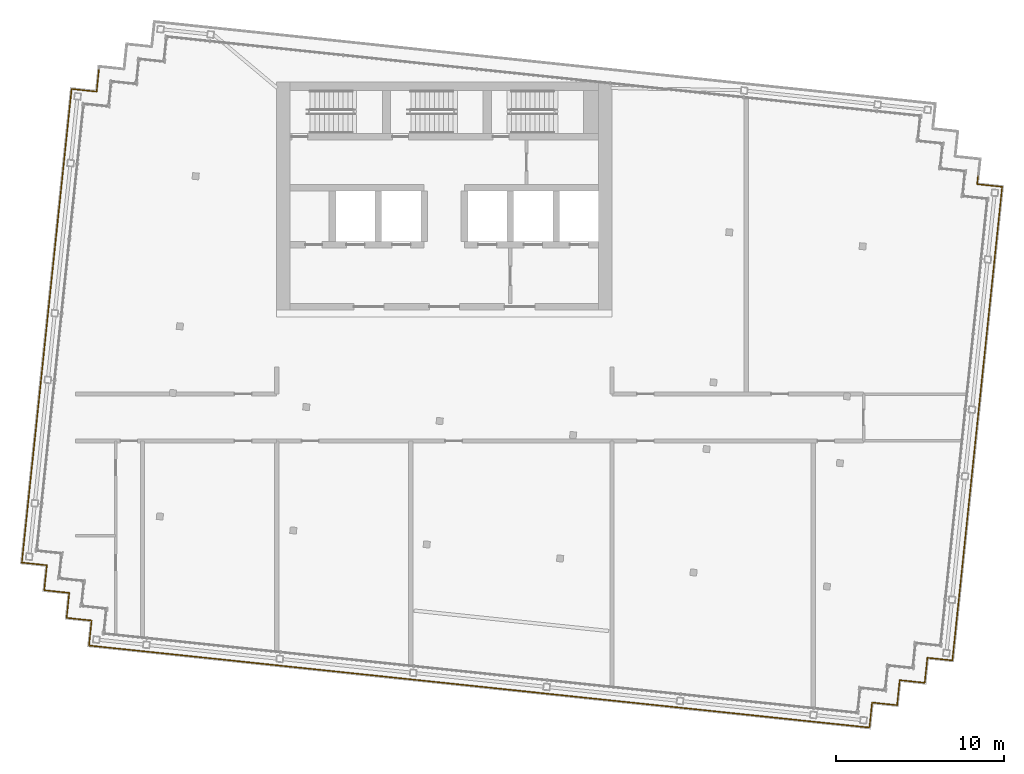
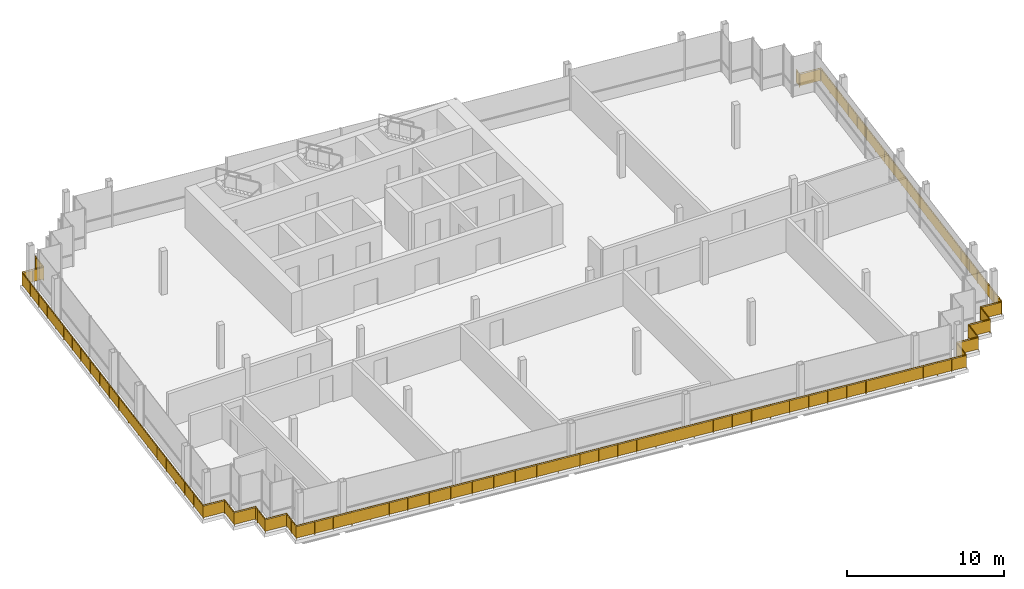
# One storey, part 13 of 15: 11 railings.
"""IFC4 building model written with IfcOpenShell, lengths in metres."""

from ifc_helpers import new_model, si_unit, direction, frame, origin, origin_2d, place, context, subcontext, project, spatial, rectangle, circle, extrude, material, type_object, element, save


model = new_model("IFC4")

# Units and contexts
model_context = context("Model", 3, precision=1e-05, world=origin(), true_north=direction((0.0, 1.0)))
body_context = subcontext(model_context, "Body", "Model", "MODEL_VIEW")
ifc_project = project(units=[si_unit("LENGTHUNIT", "METRE"), si_unit("AREAUNIT", "SQUARE_METRE"), si_unit("VOLUMEUNIT", "CUBIC_METRE"), si_unit("PLANEANGLEUNIT", "RADIAN"), si_unit("MASSUNIT", "GRAM", prefix="KILO")], contexts=[model_context])

# Site, building, storey
site_placement = place(None, origin())
site = spatial("IfcSite", under=ifc_project, at=site_placement, CompositionType="ELEMENT")
building_placement = place(site_placement, origin())
building = spatial("IfcBuilding", under=site, at=building_placement, Name="Vidyagriha Tower", CompositionType="ELEMENT")
storey_placement = place(building_placement, frame((0.0, 0.0, 294.89990234375)))
storey = spatial("IfcBuildingStorey", under=building, at=storey_placement, Name="L76", CompositionType="ELEMENT", Elevation=294.89990234375)

# Railings
ifc_material = material(Name="Steel ASTM A500 Grade C black painted", Category="steel")
railing_type = type_object("IfcRailingType", Name="Gallery guard 1100", PredefinedType="GUARDRAIL", material=ifc_material)
railing_1_placement = place(storey_placement, frame((30.297607421875, -14.485595703125, 0.0)))
element("IfcRailing", 1, at=railing_1_placement, inside=storey, type_object=railing_type, Name="Gallery guard L76 1", PredefinedType="GUARDRAIL", context=body_context, shape_type="SweptSolid", body=[
    extrude(circle(Radius=0.02490234375, at=origin_2d()), frame((0.0, 0.0, 1.0751953125), z_axis=(-0.994525057048, 0.104498377516, 0.0), x_axis=(-0.104498377516, -0.994525057048, 0.0)), (0.0, 0.0, 1.0), 1.5),
    extrude(circle(Radius=0.02490234375, at=origin_2d()), frame((-1.49169921875, 0.15673828125, 1.0751953125), z_axis=(-0.104498377516, -0.994525057048, 0.0), x_axis=(0.994525057048, -0.104498377516, 0.0)), (0.0, 0.0, 1.0), 1.5),
    extrude(circle(Radius=0.02490234375, at=origin_2d()), frame((-1.6484375, -1.3349609375, 1.0751953125), z_axis=(-0.994525057048, 0.104498377516, 0.0), x_axis=(-0.104498377516, -0.994525057048, 0.0)), (0.0, 0.0, 1.0), 1.5),
    extrude(circle(Radius=0.02490234375, at=origin_2d()), frame((-3.14013671875, -1.17822265625, 1.0751953125), z_axis=(-0.104659366031, -0.994508128223, 0.0), x_axis=(0.994508128223, -0.104659366031, 0.0)), (0.0, 0.0, 1.0), 1.5),
    extrude(circle(Radius=0.02490234375, at=origin_2d()), frame((-3.297119140625, -2.669921875, 1.0751953125), z_axis=(-0.994525057048, 0.104498377516, 0.0), x_axis=(-0.104498377516, -0.994525057048, 0.0)), (0.0, 0.0, 1.0), 1.5),
    extrude(circle(Radius=0.02490234375, at=origin_2d()), frame((-4.788818359375, -2.51318359375, 1.0751953125), z_axis=(-0.104498377516, -0.994525057048, 0.0), x_axis=(0.994525057048, -0.104498377516, 0.0)), (0.0, 0.0, 1.0), 1.5),
    extrude(circle(Radius=0.02490234375, at=origin_2d()), frame((-4.945556640625, -4.0048828125, 1.0751953125), z_axis=(-0.994525945657, 0.104489920156, 0.0), x_axis=(-0.104489920156, -0.994525945657, 0.0)), (0.0, 0.0, 1.0), 3.0),
    extrude(circle(Radius=0.02001953125, at=origin_2d()), origin(), (0.0, 0.0, 1.0), 1.050048828125),
    extrude(circle(Radius=0.02001953125, at=origin_2d()), frame((-1.49169921875, 0.15673828125, 0.0)), (0.0, 0.0, 1.0), 1.050048828125),
    extrude(circle(Radius=0.02001953125, at=origin_2d()), frame((-1.6484375, -1.3349609375, 0.0)), (0.0, 0.0, 1.0), 1.050048828125),
    extrude(circle(Radius=0.02001953125, at=origin_2d()), frame((-3.14013671875, -1.17822265625, 0.0)), (0.0, 0.0, 1.0), 1.050048828125),
    extrude(circle(Radius=0.02001953125, at=origin_2d()), frame((-3.297119140625, -2.669921875, 0.0)), (0.0, 0.0, 1.0), 1.050048828125),
    extrude(circle(Radius=0.02001953125, at=origin_2d()), frame((-4.788818359375, -2.51318359375, 0.0)), (0.0, 0.0, 1.0), 1.050048828125),
    extrude(circle(Radius=0.02001953125, at=origin_2d()), frame((-4.945556640625, -4.0048828125, 0.0)), (0.0, 0.0, 1.0), 1.050048828125),
    extrude(circle(Radius=0.02001953125, at=origin_2d()), frame((-5.940185546875, -3.900390625, 0.0)), (0.0, 0.0, 1.0), 1.050048828125),
    extrude(circle(Radius=0.02001953125, at=origin_2d()), frame((-6.9345703125, -3.7958984375, 0.0)), (0.0, 0.0, 1.0), 1.050048828125),
    extrude(circle(Radius=0.02001953125, at=origin_2d()), frame((-7.92919921875, -3.69140625, 0.0)), (0.0, 0.0, 1.0), 1.050048828125),
    extrude(rectangle(XDim=0.010009765625, YDim=0.900146484375, at=origin_2d()), frame((0.0, 0.0, 0.550048828125), z_axis=(-0.994525057048, 0.104498377516, 0.0), x_axis=(-0.104498377516, -0.994525057048, 0.0)), (0.0, 0.0, 1.0), 1.5),
    extrude(rectangle(XDim=0.010009765625, YDim=0.900146484375, at=origin_2d()), frame((-1.49169921875, 0.15673828125, 0.550048828125), z_axis=(-0.104498377516, -0.994525057048, 0.0), x_axis=(0.994525057048, -0.104498377516, 0.0)), (0.0, 0.0, 1.0), 1.5),
    extrude(rectangle(XDim=0.010009765625, YDim=0.900146484375, at=origin_2d()), frame((-1.6484375, -1.3349609375, 0.550048828125), z_axis=(-0.994525057048, 0.104498377516, 0.0), x_axis=(-0.104498377516, -0.994525057048, 0.0)), (0.0, 0.0, 1.0), 1.5),
    extrude(rectangle(XDim=0.010009765625, YDim=0.900146484375, at=origin_2d()), frame((-3.14013671875, -1.17822265625, 0.550048828125), z_axis=(-0.104659366031, -0.994508128223, 0.0), x_axis=(0.994508128223, -0.104659366031, 0.0)), (0.0, 0.0, 1.0), 1.5),
    extrude(rectangle(XDim=0.010009765625, YDim=0.900146484375, at=origin_2d()), frame((-3.297119140625, -2.669921875, 0.550048828125), z_axis=(-0.994525057048, 0.104498377516, 0.0), x_axis=(-0.104498377516, -0.994525057048, 0.0)), (0.0, 0.0, 1.0), 1.5),
    extrude(rectangle(XDim=0.010009765625, YDim=0.900146484375, at=origin_2d()), frame((-4.788818359375, -2.51318359375, 0.550048828125), z_axis=(-0.104498377516, -0.994525057048, 0.0), x_axis=(0.994525057048, -0.104498377516, 0.0)), (0.0, 0.0, 1.0), 1.5),
    extrude(rectangle(XDim=0.010009765625, YDim=0.900146484375, at=origin_2d()), frame((-4.945556640625, -4.0048828125, 0.550048828125), z_axis=(-0.994525945657, 0.104489920156, 0.0), x_axis=(-0.104489920156, -0.994525945657, 0.0)), (0.0, 0.0, 1.0), 3.0),
])
railing_2_placement = place(storey_placement, frame((22.368408203125, -18.177001953125, 0.0)))
element("IfcRailing", 2, at=railing_2_placement, inside=storey, type_object=railing_type, Name="Gallery guard L76 2", PredefinedType="GUARDRAIL", context=body_context, shape_type="SweptSolid", body=[
    extrude(circle(Radius=0.02490234375, at=origin_2d()), frame((0.0, 0.0, 1.0751953125), z_axis=(-0.994521494219, 0.104532279878, 0.0), x_axis=(-0.104532279878, -0.994521494219, 0.0)), (0.0, 0.0, 1.0), 12.0),
    extrude(circle(Radius=0.02001953125, at=origin_2d()), origin(), (0.0, 0.0, 1.0), 1.050048828125),
    extrude(circle(Radius=0.02001953125, at=origin_2d()), frame((-1.325927734375, 0.139404296875, 0.0)), (0.0, 0.0, 1.0), 1.050048828125),
    extrude(circle(Radius=0.02001953125, at=origin_2d()), frame((-2.652099609375, 0.27880859375, 0.0)), (0.0, 0.0, 1.0), 1.050048828125),
    extrude(circle(Radius=0.02001953125, at=origin_2d()), frame((-3.97802734375, 0.418212890625, 0.0)), (0.0, 0.0, 1.0), 1.050048828125),
    extrude(circle(Radius=0.02001953125, at=origin_2d()), frame((-5.30419921875, 0.5576171875, 0.0)), (0.0, 0.0, 1.0), 1.050048828125),
    extrude(circle(Radius=0.02001953125, at=origin_2d()), frame((-6.630126953125, 0.69677734375, 0.0)), (0.0, 0.0, 1.0), 1.050048828125),
    extrude(circle(Radius=0.02001953125, at=origin_2d()), frame((-7.956298828125, 0.836181640625, 0.0)), (0.0, 0.0, 1.0), 1.050048828125),
    extrude(circle(Radius=0.02001953125, at=origin_2d()), frame((-9.2822265625, 0.9755859375, 0.0)), (0.0, 0.0, 1.0), 1.050048828125),
    extrude(circle(Radius=0.02001953125, at=origin_2d()), frame((-10.6083984375, 1.114990234375, 0.0)), (0.0, 0.0, 1.0), 1.050048828125),
    extrude(circle(Radius=0.02001953125, at=origin_2d()), frame((-11.934326171875, 1.25439453125, 0.0)), (0.0, 0.0, 1.0), 1.050048828125),
    extrude(rectangle(XDim=0.010009765625, YDim=0.900146484375, at=origin_2d()), frame((0.0, 0.0, 0.550048828125), z_axis=(-0.994521494219, 0.104532279878, 0.0), x_axis=(-0.104532279878, -0.994521494219, 0.0)), (0.0, 0.0, 1.0), 12.0),
])
railing_3_placement = place(storey_placement, frame((10.43408203125, -16.922607421875, 0.0)))
element("IfcRailing", 3, at=railing_3_placement, inside=storey, type_object=railing_type, Name="Gallery guard L76 3", PredefinedType="GUARDRAIL", context=body_context, shape_type="SweptSolid", body=[
    extrude(circle(Radius=0.02490234375, at=origin_2d()), frame((0.0, 0.0, 1.0751953125), z_axis=(-0.994521494219, 0.104532279878, 0.0), x_axis=(-0.104532279878, -0.994521494219, 0.0)), (0.0, 0.0, 1.0), 12.0),
    extrude(circle(Radius=0.02001953125, at=origin_2d()), origin(), (0.0, 0.0, 1.0), 1.050048828125),
    extrude(circle(Radius=0.02001953125, at=origin_2d()), frame((-1.325927734375, 0.139404296875, 0.0)), (0.0, 0.0, 1.0), 1.050048828125),
    extrude(circle(Radius=0.02001953125, at=origin_2d()), frame((-2.652099609375, 0.27880859375, 0.0)), (0.0, 0.0, 1.0), 1.050048828125),
    extrude(circle(Radius=0.02001953125, at=origin_2d()), frame((-3.97802734375, 0.418212890625, 0.0)), (0.0, 0.0, 1.0), 1.050048828125),
    extrude(circle(Radius=0.02001953125, at=origin_2d()), frame((-5.30419921875, 0.5576171875, 0.0)), (0.0, 0.0, 1.0), 1.050048828125),
    extrude(circle(Radius=0.02001953125, at=origin_2d()), frame((-6.630126953125, 0.69677734375, 0.0)), (0.0, 0.0, 1.0), 1.050048828125),
    extrude(circle(Radius=0.02001953125, at=origin_2d()), frame((-7.956298828125, 0.836181640625, 0.0)), (0.0, 0.0, 1.0), 1.050048828125),
    extrude(circle(Radius=0.02001953125, at=origin_2d()), frame((-9.2822265625, 0.9755859375, 0.0)), (0.0, 0.0, 1.0), 1.050048828125),
    extrude(circle(Radius=0.02001953125, at=origin_2d()), frame((-10.6083984375, 1.114990234375, 0.0)), (0.0, 0.0, 1.0), 1.050048828125),
    extrude(circle(Radius=0.02001953125, at=origin_2d()), frame((-11.934326171875, 1.25439453125, 0.0)), (0.0, 0.0, 1.0), 1.050048828125),
    extrude(rectangle(XDim=0.010009765625, YDim=0.900146484375, at=origin_2d()), frame((0.0, 0.0, 0.550048828125), z_axis=(-0.994521494219, 0.104532279878, 0.0), x_axis=(-0.104532279878, -0.994521494219, 0.0)), (0.0, 0.0, 1.0), 12.0),
])
railing_4_placement = place(storey_placement, frame((-1.500244140625, -15.668212890625, 0.0)))
element("IfcRailing", 4, at=railing_4_placement, inside=storey, type_object=railing_type, Name="Gallery guard L76 4", PredefinedType="GUARDRAIL", context=body_context, shape_type="SweptSolid", body=[
    extrude(circle(Radius=0.02490234375, at=origin_2d()), frame((0.0, 0.0, 1.0751953125), z_axis=(-0.994521271903, 0.104534394972, 0.0), x_axis=(-0.104534394972, -0.994521271903, 0.0)), (0.0, 0.0, 1.0), 11.999755859375),
    extrude(circle(Radius=0.02001953125, at=origin_2d()), origin(), (0.0, 0.0, 1.0), 1.050048828125),
    extrude(circle(Radius=0.02001953125, at=origin_2d()), frame((-1.49169921875, 0.15673828125, 0.0)), (0.0, 0.0, 1.0), 1.050048828125),
    extrude(circle(Radius=0.02001953125, at=origin_2d()), frame((-2.9833984375, 0.3134765625, 0.0)), (0.0, 0.0, 1.0), 1.050048828125),
    extrude(circle(Radius=0.02001953125, at=origin_2d()), frame((-4.475341796875, 0.470458984375, 0.0)), (0.0, 0.0, 1.0), 1.050048828125),
    extrude(circle(Radius=0.02001953125, at=origin_2d()), frame((-5.967041015625, 0.627197265625, 0.0)), (0.0, 0.0, 1.0), 1.050048828125),
    extrude(circle(Radius=0.02001953125, at=origin_2d()), frame((-7.458740234375, 0.783935546875, 0.0)), (0.0, 0.0, 1.0), 1.050048828125),
    extrude(circle(Radius=0.02001953125, at=origin_2d()), frame((-8.95068359375, 0.94091796875, 0.0)), (0.0, 0.0, 1.0), 1.050048828125),
    extrude(circle(Radius=0.02001953125, at=origin_2d()), frame((-10.4423828125, 1.09765625, 0.0)), (0.0, 0.0, 1.0), 1.050048828125),
    extrude(circle(Radius=0.02001953125, at=origin_2d()), frame((-11.93408203125, 1.25439453125, 0.0)), (0.0, 0.0, 1.0), 1.050048828125),
    extrude(rectangle(XDim=0.010009765625, YDim=0.900146484375, at=origin_2d()), frame((0.0, 0.0, 0.550048828125), z_axis=(-0.994521271903, 0.104534394972, 0.0), x_axis=(-0.104534394972, -0.994521271903, 0.0)), (0.0, 0.0, 1.0), 11.999755859375),
])
railing_5_placement = place(storey_placement, frame((-13.434326171875, -14.413818359375, 0.0)))
element("IfcRailing", 5, at=railing_5_placement, inside=storey, type_object=railing_type, Name="Gallery guard L76 5", PredefinedType="GUARDRAIL", context=body_context, shape_type="SweptSolid", body=[
    extrude(circle(Radius=0.02490234375, at=origin_2d()), frame((0.0, 0.0, 1.0751953125), z_axis=(-0.994523788829, 0.10451044662, 0.0), x_axis=(-0.10451044662, -0.994523788829, 0.0)), (0.0, 0.0, 1.0), 7.800048828125),
    extrude(circle(Radius=0.02490234375, at=origin_2d()), frame((-7.75732421875, 0.815185546875, 1.0751953125), z_axis=(0.104481464157, 0.994526834051, 0.0), x_axis=(-0.994526834051, 0.104481464157, 0.0)), (0.0, 0.0, 1.0), 1.500244140625),
    extrude(circle(Radius=0.02490234375, at=origin_2d()), frame((-7.6005859375, 2.30712890625, 1.0751953125), z_axis=(-0.994525057048, 0.104498377516, 0.0), x_axis=(-0.104498377516, -0.994525057048, 0.0)), (0.0, 0.0, 1.0), 1.5),
    extrude(circle(Radius=0.02490234375, at=origin_2d()), frame((-9.09228515625, 2.4638671875, 1.0751953125), z_axis=(0.104578872801, 0.994516595821, 0.0), x_axis=(-0.994516595821, 0.104578872801, 0.0)), (0.0, 0.0, 1.0), 1.199951171875),
    extrude(circle(Radius=0.02001953125, at=origin_2d()), origin(), (0.0, 0.0, 1.0), 1.050048828125),
    extrude(circle(Radius=0.02001953125, at=origin_2d()), frame((-1.29296875, 0.1357421875, 0.0)), (0.0, 0.0, 1.0), 1.050048828125),
    extrude(circle(Radius=0.02001953125, at=origin_2d()), frame((-2.585693359375, 0.271728515625, 0.0)), (0.0, 0.0, 1.0), 1.050048828125),
    extrude(circle(Radius=0.02001953125, at=origin_2d()), frame((-3.878662109375, 0.40771484375, 0.0)), (0.0, 0.0, 1.0), 1.050048828125),
    extrude(circle(Radius=0.02001953125, at=origin_2d()), frame((-5.171630859375, 0.54345703125, 0.0)), (0.0, 0.0, 1.0), 1.050048828125),
    extrude(circle(Radius=0.02001953125, at=origin_2d()), frame((-6.46435546875, 0.67919921875, 0.0)), (0.0, 0.0, 1.0), 1.050048828125),
    extrude(circle(Radius=0.02001953125, at=origin_2d()), frame((-7.75732421875, 0.815185546875, 0.0)), (0.0, 0.0, 1.0), 1.050048828125),
    extrude(circle(Radius=0.02001953125, at=origin_2d()), frame((-7.678955078125, 1.56103515625, 0.0)), (0.0, 0.0, 1.0), 1.050048828125),
    extrude(circle(Radius=0.02001953125, at=origin_2d()), frame((-7.6005859375, 2.30712890625, 0.0)), (0.0, 0.0, 1.0), 1.050048828125),
    extrude(circle(Radius=0.02001953125, at=origin_2d()), frame((-9.09228515625, 2.4638671875, 0.0)), (0.0, 0.0, 1.0), 1.050048828125),
    extrude(circle(Radius=0.02001953125, at=origin_2d()), frame((-8.966796875, 3.6572265625, 0.0)), (0.0, 0.0, 1.0), 1.050048828125),
    extrude(rectangle(XDim=0.010009765625, YDim=0.900146484375, at=origin_2d()), frame((0.0, 0.0, 0.550048828125), z_axis=(-0.994523788829, 0.10451044662, 0.0), x_axis=(-0.10451044662, -0.994523788829, 0.0)), (0.0, 0.0, 1.0), 7.800048828125),
    extrude(rectangle(XDim=0.010009765625, YDim=0.900146484375, at=origin_2d()), frame((-7.75732421875, 0.815185546875, 0.550048828125), z_axis=(0.104481464157, 0.994526834051, 0.0), x_axis=(-0.994526834051, 0.104481464157, 0.0)), (0.0, 0.0, 1.0), 1.500244140625),
    extrude(rectangle(XDim=0.010009765625, YDim=0.900146484375, at=origin_2d()), frame((-7.6005859375, 2.30712890625, 0.550048828125), z_axis=(-0.994525057048, 0.104498377516, 0.0), x_axis=(-0.104498377516, -0.994525057048, 0.0)), (0.0, 0.0, 1.0), 1.5),
    extrude(rectangle(XDim=0.010009765625, YDim=0.900146484375, at=origin_2d()), frame((-9.09228515625, 2.4638671875, 0.550048828125), z_axis=(0.104578872801, 0.994516595821, 0.0), x_axis=(-0.994516595821, 0.104578872801, 0.0)), (0.0, 0.0, 1.0), 1.199951171875),
])
railing_6_placement = place(storey_placement, frame((-22.401123046875, -10.756591796875, 0.0)))
element("IfcRailing", 6, at=railing_6_placement, inside=storey, type_object=railing_type, Name="Gallery guard L76 6", PredefinedType="GUARDRAIL", context=body_context, shape_type="SweptSolid", body=[
    extrude(circle(Radius=0.02490234375, at=origin_2d()), frame((0.0, 0.0, 1.0751953125), z_axis=(0.104176375855, 0.994558838236, 0.0), x_axis=(-0.994558838236, 0.104176375855, 0.0)), (0.0, 0.0, 1.0), 0.300048828125),
    extrude(circle(Radius=0.02490234375, at=origin_2d()), frame((0.03125, 0.29833984375, 1.0751953125), z_axis=(-0.994525057048, 0.104498377516, 0.0), x_axis=(-0.104498377516, -0.994525057048, 0.0)), (0.0, 0.0, 1.0), 1.5),
    extrude(circle(Radius=0.02490234375, at=origin_2d()), frame((-1.46044921875, 0.455078125, 1.0751953125), z_axis=(0.104498377516, 0.994525057048, 0.0), x_axis=(-0.994525057048, 0.104498377516, 0.0)), (0.0, 0.0, 1.0), 1.5),
    extrude(circle(Radius=0.02490234375, at=origin_2d()), frame((-1.3037109375, 1.94677734375, 1.0751953125), z_axis=(-0.994508128223, 0.104659366031, 0.0), x_axis=(-0.104659366031, -0.994508128223, 0.0)), (0.0, 0.0, 1.0), 1.5),
    extrude(circle(Radius=0.02490234375, at=origin_2d()), frame((-2.79541015625, 2.103759765625, 1.0751953125), z_axis=(0.10450474476, 0.994524387998, 0.0), x_axis=(-0.994524387998, 0.10450474476, 0.0)), (0.0, 0.0, 1.0), 7.199951171875),
    extrude(circle(Radius=0.02001953125, at=origin_2d()), origin(), (0.0, 0.0, 1.0), 1.050048828125),
    extrude(circle(Radius=0.02001953125, at=origin_2d()), frame((0.03125, 0.29833984375, 0.0)), (0.0, 0.0, 1.0), 1.050048828125),
    extrude(circle(Radius=0.02001953125, at=origin_2d()), frame((-1.46044921875, 0.455078125, 0.0)), (0.0, 0.0, 1.0), 1.050048828125),
    extrude(circle(Radius=0.02001953125, at=origin_2d()), frame((-1.3037109375, 1.94677734375, 0.0)), (0.0, 0.0, 1.0), 1.050048828125),
    extrude(circle(Radius=0.02001953125, at=origin_2d()), frame((-2.79541015625, 2.103759765625, 0.0)), (0.0, 0.0, 1.0), 1.050048828125),
    extrude(circle(Radius=0.02001953125, at=origin_2d()), frame((-2.64501953125, 3.535888671875, 0.0)), (0.0, 0.0, 1.0), 1.050048828125),
    extrude(circle(Radius=0.02001953125, at=origin_2d()), frame((-2.494384765625, 4.968017578125, 0.0)), (0.0, 0.0, 1.0), 1.050048828125),
    extrude(circle(Radius=0.02001953125, at=origin_2d()), frame((-2.343994140625, 6.400146484375, 0.0)), (0.0, 0.0, 1.0), 1.050048828125),
    extrude(circle(Radius=0.02001953125, at=origin_2d()), frame((-2.193359375, 7.832275390625, 0.0)), (0.0, 0.0, 1.0), 1.050048828125),
    extrude(circle(Radius=0.02001953125, at=origin_2d()), frame((-2.04296875, 9.264404296875, 0.0)), (0.0, 0.0, 1.0), 1.050048828125),
    extrude(rectangle(XDim=0.010009765625, YDim=0.900146484375, at=origin_2d()), frame((0.0, 0.0, 0.550048828125), z_axis=(0.104176375855, 0.994558838236, 0.0), x_axis=(-0.994558838236, 0.104176375855, 0.0)), (0.0, 0.0, 1.0), 0.300048828125),
    extrude(rectangle(XDim=0.010009765625, YDim=0.900146484375, at=origin_2d()), frame((0.03125, 0.29833984375, 0.550048828125), z_axis=(-0.994525057048, 0.104498377516, 0.0), x_axis=(-0.104498377516, -0.994525057048, 0.0)), (0.0, 0.0, 1.0), 1.5),
    extrude(rectangle(XDim=0.010009765625, YDim=0.900146484375, at=origin_2d()), frame((-1.46044921875, 0.455078125, 0.550048828125), z_axis=(0.104498377516, 0.994525057048, 0.0), x_axis=(-0.994525057048, 0.104498377516, 0.0)), (0.0, 0.0, 1.0), 1.5),
    extrude(rectangle(XDim=0.010009765625, YDim=0.900146484375, at=origin_2d()), frame((-1.3037109375, 1.94677734375, 0.550048828125), z_axis=(-0.994508128223, 0.104659366031, 0.0), x_axis=(-0.104659366031, -0.994508128223, 0.0)), (0.0, 0.0, 1.0), 1.5),
    extrude(rectangle(XDim=0.010009765625, YDim=0.900146484375, at=origin_2d()), frame((-2.79541015625, 2.103759765625, 0.550048828125), z_axis=(0.10450474476, 0.994524387998, 0.0), x_axis=(-0.994524387998, 0.10450474476, 0.0)), (0.0, 0.0, 1.0), 7.199951171875),
])
railing_7_placement = place(storey_placement, frame((-24.444091796875, -1.4921875, 0.0)))
element("IfcRailing", 7, at=railing_7_placement, inside=storey, type_object=railing_type, Name="Gallery guard L76 7", PredefinedType="GUARDRAIL", context=body_context, shape_type="SweptSolid", body=[
    extrude(circle(Radius=0.02490234375, at=origin_2d()), frame((0.0, 0.0, 1.0751953125), z_axis=(0.104534394972, 0.994521271903, 0.0), x_axis=(-0.994521271903, 0.104534394972, 0.0)), (0.0, 0.0, 1.0), 11.999755859375),
    extrude(circle(Radius=0.02001953125, at=origin_2d()), origin(), (0.0, 0.0, 1.0), 1.050048828125),
    extrude(circle(Radius=0.02001953125, at=origin_2d()), frame((0.15673828125, 1.49169921875, 0.0)), (0.0, 0.0, 1.0), 1.050048828125),
    extrude(circle(Radius=0.02001953125, at=origin_2d()), frame((0.3134765625, 2.9833984375, 0.0)), (0.0, 0.0, 1.0), 1.050048828125),
    extrude(circle(Radius=0.02001953125, at=origin_2d()), frame((0.470458984375, 4.475341796875, 0.0)), (0.0, 0.0, 1.0), 1.050048828125),
    extrude(circle(Radius=0.02001953125, at=origin_2d()), frame((0.627197265625, 5.967041015625, 0.0)), (0.0, 0.0, 1.0), 1.050048828125),
    extrude(circle(Radius=0.02001953125, at=origin_2d()), frame((0.783935546875, 7.458740234375, 0.0)), (0.0, 0.0, 1.0), 1.050048828125),
    extrude(circle(Radius=0.02001953125, at=origin_2d()), frame((0.94091796875, 8.95068359375, 0.0)), (0.0, 0.0, 1.0), 1.050048828125),
    extrude(circle(Radius=0.02001953125, at=origin_2d()), frame((1.09765625, 10.4423828125, 0.0)), (0.0, 0.0, 1.0), 1.050048828125),
    extrude(circle(Radius=0.02001953125, at=origin_2d()), frame((1.25439453125, 11.93408203125, 0.0)), (0.0, 0.0, 1.0), 1.050048828125),
    extrude(rectangle(XDim=0.010009765625, YDim=0.900146484375, at=origin_2d()), frame((0.0, 0.0, 0.550048828125), z_axis=(0.104534394972, 0.994521271903, 0.0), x_axis=(-0.994521271903, 0.104534394972, 0.0)), (0.0, 0.0, 1.0), 11.999755859375),
])
railing_8_placement = place(storey_placement, frame((-23.189697265625, 10.44189453125, 0.0)))
element("IfcRailing", 8, at=railing_8_placement, inside=storey, type_object=railing_type, Name="Gallery guard L76 8", PredefinedType="GUARDRAIL", context=body_context, shape_type="SweptSolid", body=[
    extrude(circle(Radius=0.02490234375, at=origin_2d()), frame((0.0, 0.0, 1.0751953125), z_axis=(0.104528688334, 0.994521871713, 0.0), x_axis=(-0.994521871713, 0.104528688334, 0.0)), (0.0, 0.0, 1.0), 9.199951171875),
    extrude(circle(Radius=0.02490234375, at=origin_2d()), frame((0.961669921875, 9.149658203125, 1.0751953125), z_axis=(0.994526834051, -0.104481464157, 0.0), x_axis=(0.104481464157, 0.994526834051, 0.0)), (0.0, 0.0, 1.0), 1.500244140625),
    extrude(circle(Radius=0.02490234375, at=origin_2d()), frame((2.45361328125, 8.992919921875, 1.0751953125), z_axis=(0.104411070641, 0.994534226826, 0.0), x_axis=(-0.994534226826, 0.104411070641, 0.0)), (0.0, 0.0, 1.0), 1.300048828125),
    extrude(circle(Radius=0.02001953125, at=origin_2d()), origin(), (0.0, 0.0, 1.0), 1.050048828125),
    extrude(circle(Radius=0.02001953125, at=origin_2d()), frame((0.137451171875, 1.30712890625, 0.0)), (0.0, 0.0, 1.0), 1.050048828125),
    extrude(circle(Radius=0.02001953125, at=origin_2d()), frame((0.274658203125, 2.6142578125, 0.0)), (0.0, 0.0, 1.0), 1.050048828125),
    extrude(circle(Radius=0.02001953125, at=origin_2d()), frame((0.412109375, 3.92138671875, 0.0)), (0.0, 0.0, 1.0), 1.050048828125),
    extrude(circle(Radius=0.02001953125, at=origin_2d()), frame((0.549560546875, 5.228271484375, 0.0)), (0.0, 0.0, 1.0), 1.050048828125),
    extrude(circle(Radius=0.02001953125, at=origin_2d()), frame((0.68701171875, 6.535400390625, 0.0)), (0.0, 0.0, 1.0), 1.050048828125),
    extrude(circle(Radius=0.02001953125, at=origin_2d()), frame((0.82421875, 7.842529296875, 0.0)), (0.0, 0.0, 1.0), 1.050048828125),
    extrude(circle(Radius=0.02001953125, at=origin_2d()), frame((0.961669921875, 9.149658203125, 0.0)), (0.0, 0.0, 1.0), 1.050048828125),
    extrude(circle(Radius=0.02001953125, at=origin_2d()), frame((1.70751953125, 9.0712890625, 0.0)), (0.0, 0.0, 1.0), 1.050048828125),
    extrude(circle(Radius=0.02001953125, at=origin_2d()), frame((2.45361328125, 8.992919921875, 0.0)), (0.0, 0.0, 1.0), 1.050048828125),
    extrude(circle(Radius=0.02001953125, at=origin_2d()), frame((2.58935546875, 10.285888671875, 0.0)), (0.0, 0.0, 1.0), 1.050048828125),
    extrude(rectangle(XDim=0.010009765625, YDim=0.900146484375, at=origin_2d()), frame((0.0, 0.0, 0.550048828125), z_axis=(0.104528688334, 0.994521871713, 0.0), x_axis=(-0.994521871713, 0.104528688334, 0.0)), (0.0, 0.0, 1.0), 9.199951171875),
    extrude(rectangle(XDim=0.010009765625, YDim=0.900146484375, at=origin_2d()), frame((0.961669921875, 9.149658203125, 0.550048828125), z_axis=(0.994526834051, -0.104481464157, 0.0), x_axis=(0.104481464157, 0.994526834051, 0.0)), (0.0, 0.0, 1.0), 1.500244140625),
    extrude(rectangle(XDim=0.010009765625, YDim=0.900146484375, at=origin_2d()), frame((2.45361328125, 8.992919921875, 0.550048828125), z_axis=(0.104411070641, 0.994534226826, 0.0), x_axis=(-0.994534226826, 0.104411070641, 0.0)), (0.0, 0.0, 1.0), 1.300048828125),
])
railing_9_placement = place(storey_placement, frame((31.826904296875, 14.412841796875, 0.0)))
element("IfcRailing", 9, at=railing_9_placement, inside=storey, type_object=railing_type, Name="Gallery guard L76 14", PredefinedType="GUARDRAIL", context=body_context, shape_type="SweptSolid", body=[
    extrude(circle(Radius=0.02490234375, at=origin_2d()), frame((0.0, 0.0, 1.0751953125), z_axis=(-0.104481464157, -0.994526834051, 0.0), x_axis=(0.994526834051, -0.104481464157, 0.0)), (0.0, 0.0, 1.0), 0.5),
    extrude(circle(Radius=0.02490234375, at=origin_2d()), frame((-0.05224609375, -0.497314453125, 1.0751953125), z_axis=(0.994525057048, -0.104498377516, 0.0), x_axis=(0.104498377516, 0.994525057048, 0.0)), (0.0, 0.0, 1.0), 1.5),
    extrude(circle(Radius=0.02490234375, at=origin_2d()), frame((1.439453125, -0.654052734375, 1.0751953125), z_axis=(-0.104539905878, -0.994520692635, 0.0), x_axis=(0.994520692635, -0.104539905878, 0.0)), (0.0, 0.0, 1.0), 10.0),
    extrude(circle(Radius=0.02001953125, at=origin_2d()), origin(), (0.0, 0.0, 1.0), 1.050048828125),
    extrude(circle(Radius=0.02001953125, at=origin_2d()), frame((-0.05224609375, -0.497314453125, 0.0)), (0.0, 0.0, 1.0), 1.050048828125),
    extrude(circle(Radius=0.02001953125, at=origin_2d()), frame((1.439453125, -0.654052734375, 0.0)), (0.0, 0.0, 1.0), 1.050048828125),
    extrude(circle(Radius=0.02001953125, at=origin_2d()), frame((1.2900390625, -2.07470703125, 0.0)), (0.0, 0.0, 1.0), 1.050048828125),
    extrude(circle(Radius=0.02001953125, at=origin_2d()), frame((1.140869140625, -3.49560546875, 0.0)), (0.0, 0.0, 1.0), 1.050048828125),
    extrude(circle(Radius=0.02001953125, at=origin_2d()), frame((0.991455078125, -4.916259765625, 0.0)), (0.0, 0.0, 1.0), 1.050048828125),
    extrude(circle(Radius=0.02001953125, at=origin_2d()), frame((0.842041015625, -6.337158203125, 0.0)), (0.0, 0.0, 1.0), 1.050048828125),
    extrude(circle(Radius=0.02001953125, at=origin_2d()), frame((0.692626953125, -7.7578125, 0.0)), (0.0, 0.0, 1.0), 1.050048828125),
    extrude(circle(Radius=0.02001953125, at=origin_2d()), frame((0.54345703125, -9.1787109375, 0.0)), (0.0, 0.0, 1.0), 1.050048828125),
    extrude(circle(Radius=0.02001953125, at=origin_2d()), frame((0.39404296875, -10.599365234375, 0.0)), (0.0, 0.0, 1.0), 1.050048828125),
    extrude(rectangle(XDim=0.010009765625, YDim=0.900146484375, at=origin_2d()), frame((0.0, 0.0, 0.550048828125), z_axis=(-0.104481464157, -0.994526834051, 0.0), x_axis=(0.994526834051, -0.104481464157, 0.0)), (0.0, 0.0, 1.0), 0.5),
    extrude(rectangle(XDim=0.010009765625, YDim=0.900146484375, at=origin_2d()), frame((-0.05224609375, -0.497314453125, 0.550048828125), z_axis=(0.994525057048, -0.104498377516, 0.0), x_axis=(0.104498377516, 0.994525057048, 0.0)), (0.0, 0.0, 1.0), 1.5),
    extrude(rectangle(XDim=0.010009765625, YDim=0.900146484375, at=origin_2d()), frame((1.439453125, -0.654052734375, 0.550048828125), z_axis=(-0.104539905878, -0.994520692635, 0.0), x_axis=(0.994520692635, -0.104539905878, 0.0)), (0.0, 0.0, 1.0), 10.0),
])
railing_10_placement = place(storey_placement, frame((32.220947265625, 3.8134765625, 0.0)))
element("IfcRailing", 10, at=railing_10_placement, inside=storey, type_object=railing_type, Name="Gallery guard L76 15", PredefinedType="GUARDRAIL", context=body_context, shape_type="SweptSolid", body=[
    extrude(circle(Radius=0.02490234375, at=origin_2d()), frame((0.0, 0.0, 1.0751953125), z_axis=(-0.104512157188, -0.994523609071, 0.0), x_axis=(0.994523609071, -0.104512157188, 0.0)), (0.0, 0.0, 1.0), 12.0),
    extrude(circle(Radius=0.02001953125, at=origin_2d()), origin(), (0.0, 0.0, 1.0), 1.050048828125),
    extrude(circle(Radius=0.02001953125, at=origin_2d()), frame((-0.139404296875, -1.325927734375, 0.0)), (0.0, 0.0, 1.0), 1.050048828125),
    extrude(circle(Radius=0.02001953125, at=origin_2d()), frame((-0.27880859375, -2.652099609375, 0.0)), (0.0, 0.0, 1.0), 1.050048828125),
    extrude(circle(Radius=0.02001953125, at=origin_2d()), frame((-0.41796875, -3.97802734375, 0.0)), (0.0, 0.0, 1.0), 1.050048828125),
    extrude(circle(Radius=0.02001953125, at=origin_2d()), frame((-0.557373046875, -5.30419921875, 0.0)), (0.0, 0.0, 1.0), 1.050048828125),
    extrude(circle(Radius=0.02001953125, at=origin_2d()), frame((-0.69677734375, -6.630126953125, 0.0)), (0.0, 0.0, 1.0), 1.050048828125),
    extrude(circle(Radius=0.02001953125, at=origin_2d()), frame((-0.836181640625, -7.956298828125, 0.0)), (0.0, 0.0, 1.0), 1.050048828125),
    extrude(circle(Radius=0.02001953125, at=origin_2d()), frame((-0.975341796875, -9.2822265625, 0.0)), (0.0, 0.0, 1.0), 1.050048828125),
    extrude(circle(Radius=0.02001953125, at=origin_2d()), frame((-1.11474609375, -10.6083984375, 0.0)), (0.0, 0.0, 1.0), 1.050048828125),
    extrude(circle(Radius=0.02001953125, at=origin_2d()), frame((-1.254150390625, -11.934326171875, 0.0)), (0.0, 0.0, 1.0), 1.050048828125),
    extrude(rectangle(XDim=0.010009765625, YDim=0.900146484375, at=origin_2d()), frame((0.0, 0.0, 0.550048828125), z_axis=(-0.104512157188, -0.994523609071, 0.0), x_axis=(0.994523609071, -0.104512157188, 0.0)), (0.0, 0.0, 1.0), 12.0),
])
railing_11_placement = place(storey_placement, frame((30.966796875, -8.120849609375, 0.0)))
element("IfcRailing", 11, at=railing_11_placement, inside=storey, type_object=railing_type, Name="Gallery guard L76 16", PredefinedType="GUARDRAIL", context=body_context, shape_type="SweptSolid", body=[
    extrude(circle(Radius=0.02490234375, at=origin_2d()), frame((0.0, 0.0, 1.0751953125), z_axis=(-0.104563650797, -0.994518196381, 0.0), x_axis=(0.994518196381, -0.104563650797, 0.0)), (0.0, 0.0, 1.0), 6.39990234375),
    extrude(circle(Radius=0.02001953125, at=origin_2d()), origin(), (0.0, 0.0, 1.0), 1.050048828125),
    extrude(circle(Radius=0.02001953125, at=origin_2d()), frame((-0.1337890625, -1.27294921875, 0.0)), (0.0, 0.0, 1.0), 1.050048828125),
    extrude(circle(Radius=0.02001953125, at=origin_2d()), frame((-0.267578125, -2.5458984375, 0.0)), (0.0, 0.0, 1.0), 1.050048828125),
    extrude(circle(Radius=0.02001953125, at=origin_2d()), frame((-0.401611328125, -3.81884765625, 0.0)), (0.0, 0.0, 1.0), 1.050048828125),
    extrude(circle(Radius=0.02001953125, at=origin_2d()), frame((-0.535400390625, -5.091796875, 0.0)), (0.0, 0.0, 1.0), 1.050048828125),
    extrude(circle(Radius=0.02001953125, at=origin_2d()), frame((-0.669189453125, -6.36474609375, 0.0)), (0.0, 0.0, 1.0), 1.050048828125),
    extrude(rectangle(XDim=0.010009765625, YDim=0.900146484375, at=origin_2d()), frame((0.0, 0.0, 0.550048828125), z_axis=(-0.104563650797, -0.994518196381, 0.0), x_axis=(0.994518196381, -0.104563650797, 0.0)), (0.0, 0.0, 1.0), 6.39990234375),
])

save(model, "model.ifc")
